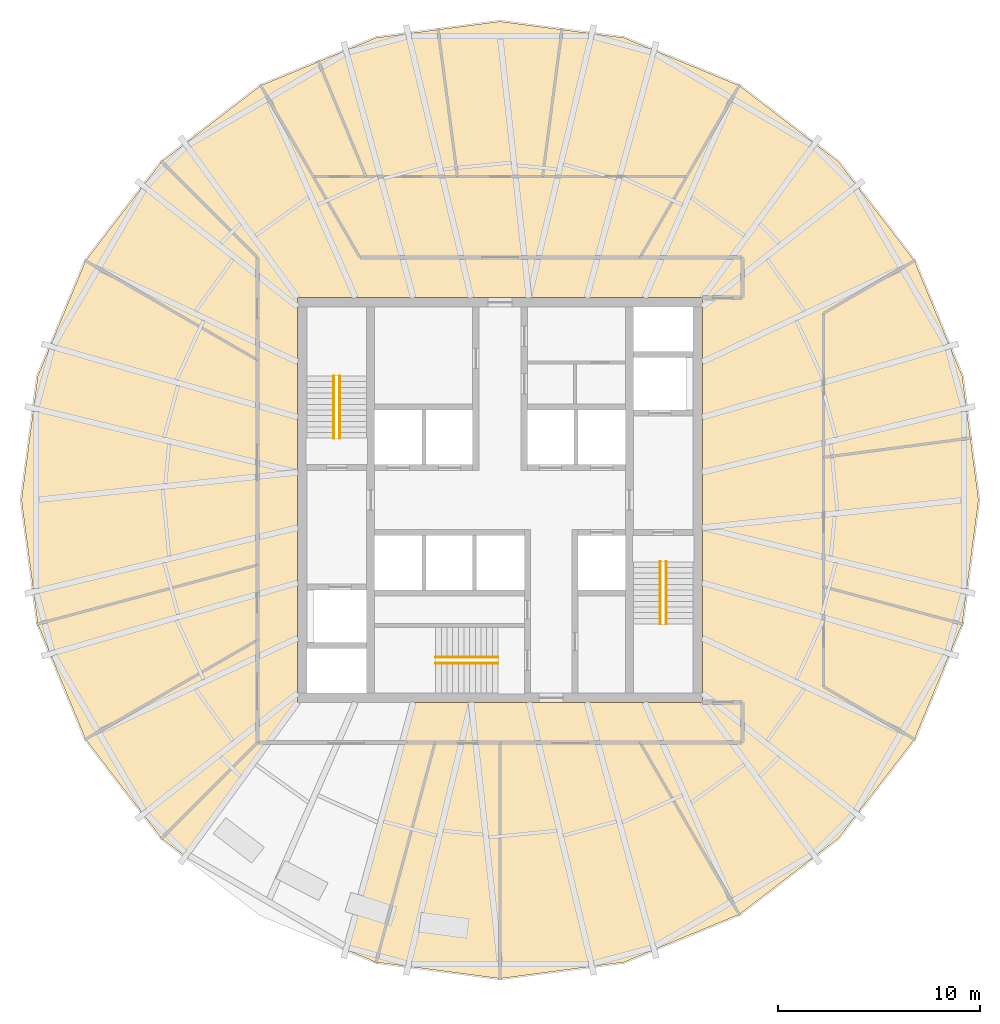
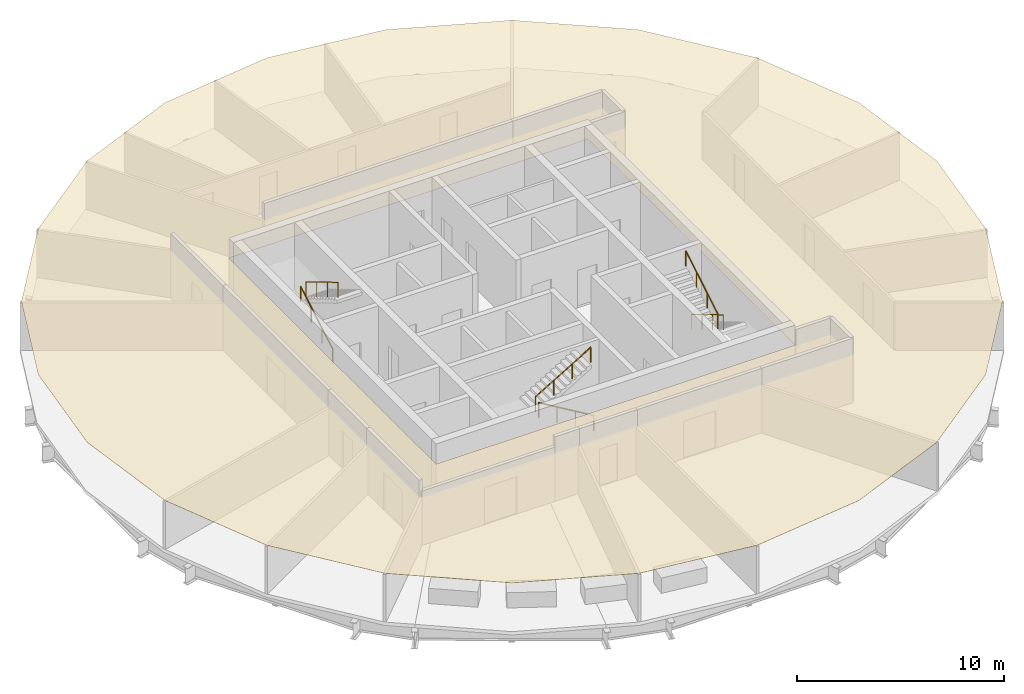
# One storey, part 6 of 7: 6 railings, 1 covering.
"""IFC4 building model written with IfcOpenShell, lengths in metres."""

import ifcopenshell
import ifcopenshell.guid

model = None  # the IFC model being written
_history = None  # IfcOwnerHistory: only IFC2X3 demands one
_inside = {}  # id of a spatial element -> (the spatial element, [elements in it])
_under = {}  # id of a project, library or spatial element -> (it, [spatial elements below it])
_declared = {}  # id of a project -> (the project, [libraries it declares])
_typed = {}  # id of a type object -> (the type object, [elements of that type])
_made_of = {}  # id of a material, layer set ... -> (it, [elements and type objects made of it])


def new_model(schema):
    """Start an empty IFC model of exactly this schema.

    Asked for "IFC4X3", IfcOpenShell would pick the latest addendum, in which some entities
    have other attributes; the version numbers below select the first issue.
    IFC2X3 requires an IfcOwnerHistory on every rooted entity: one is made here for all.
    """
    global model, _history
    if schema == "IFC4X3":
        model = ifcopenshell.file(schema_version=(4, 3, 0, 0))
    else:
        model = ifcopenshell.file(schema=schema)
    _inside.clear()
    _under.clear()
    _declared.clear()
    _typed.clear()
    _made_of.clear()
    _history = None
    if model.schema == "IFC2X3":
        org = make("IfcOrganization", Name="unknown")
        user = make(
            "IfcPersonAndOrganization",
            ThePerson=make("IfcPerson", FamilyName="unknown"),
            TheOrganization=org,
        )
        app = make(
            "IfcApplication",
            ApplicationDeveloper=org,
            Version="unknown",
            ApplicationFullName="unknown",
            ApplicationIdentifier="unknown",
        )
        _history = make(
            "IfcOwnerHistory",
            OwningUser=user,
            OwningApplication=app,
            ChangeAction="ADDED",
            CreationDate=0,
        )
    return model


def make(cls, **values):
    """One entity of the class cls with the attributes given. An attribute that is None is left unset."""
    return model.create_entity(
        cls, **{name: value for name, value in values.items() if value is not None}
    )


def rooted(cls, **values):
    """An entity with a GlobalId (a new one), such as an element, a storey or a relation."""
    return make(cls, GlobalId=ifcopenshell.guid.new(), OwnerHistory=_history, **values)


def si_unit(unit_type, name, prefix=None):
    """IfcSIUnit, for example si_unit("LENGTHUNIT", "METRE", prefix="MILLI")."""
    return make("IfcSIUnit", UnitType=unit_type, Prefix=prefix, Name=name)


def assignment(units):
    """IfcUnitAssignment: the units of a project."""
    return None if units is None else make("IfcUnitAssignment", Units=units)


def point(xyz):
    """IfcCartesianPoint."""
    return None if xyz is None else make("IfcCartesianPoint", Coordinates=xyz)


def direction(xyz):
    """IfcDirection."""
    return None if xyz is None else make("IfcDirection", DirectionRatios=xyz)


def frame(location, z_axis=None, x_axis=None):
    """IfcAxis2Placement3D, a coordinate frame: its origin and axes. An axis left out is left unset."""
    return make(
        "IfcAxis2Placement3D",
        Location=point(location),
        Axis=direction(z_axis),
        RefDirection=direction(x_axis),
    )


def frame_2d(location, x_axis=None):
    """IfcAxis2Placement2D, a coordinate frame in the plane: its origin and x axis."""
    return make(
        "IfcAxis2Placement2D", Location=point(location), RefDirection=direction(x_axis)
    )


def origin():
    """The frame at (0, 0, 0) with its axes left unset."""
    return frame((0.0, 0.0, 0.0))


def origin_2d():
    """The frame at (0, 0) in the plane with its x axis left unset."""
    return frame_2d((0.0, 0.0))


def place(relative_to, where):
    """IfcLocalPlacement: puts the frame where relative to a parent placement (None: the world)."""
    return make(
        "IfcLocalPlacement", PlacementRelTo=relative_to, RelativePlacement=where
    )


def context(
    kind, dimensions, precision=None, world=None, true_north=None, identifier=None
):
    """IfcGeometricRepresentationContext, for example the 3D "Model" context."""
    return make(
        "IfcGeometricRepresentationContext",
        ContextIdentifier=identifier,
        ContextType=kind,
        CoordinateSpaceDimension=dimensions,
        Precision=precision,
        WorldCoordinateSystem=world,
        TrueNorth=true_north,
    )


def subcontext(parent, identifier, kind, view, scale=None):
    """IfcGeometricRepresentationSubContext, for example "Body" below "Model"."""
    return make(
        "IfcGeometricRepresentationSubContext",
        ContextIdentifier=identifier,
        ContextType=kind,
        ParentContext=parent,
        TargetScale=scale,
        TargetView=view,
    )


def project(units=None, contexts=None):
    """IfcProject with its units and contexts."""
    return rooted(
        "IfcProject",
        Name="project",
        RepresentationContexts=contexts,
        UnitsInContext=assignment(units),
    )


def spatial(cls, under=None, at=None, **own):
    """A site, building, storey or space (cls), placed at a placement, below another one or the project."""
    s = rooted(cls, ObjectPlacement=at, **own)
    if under is not None:
        _under.setdefault(under.id(), (under, []))[1].append(s)
    return s


def polyline(points):
    """IfcPolyline through the points."""
    return make("IfcPolyline", Points=[point(p) for p in points])


def profile(cls, at=None, kind="AREA", **sizes):
    """A parametric profile (cls). Its sizes go by their IFC names, for example OverallWidth=200.0."""
    return make(cls, ProfileType=kind, Position=at, **sizes)


def circle(**sizes):
    """IfcCircleProfileDef."""
    return profile("IfcCircleProfileDef", **sizes)


def outline(outer, holes=None, kind="AREA"):
    """IfcArbitraryClosedProfileDef: a profile drawn as a closed curve; with holes, ...WithVoids."""
    if holes is None:
        return make("IfcArbitraryClosedProfileDef", ProfileType=kind, OuterCurve=outer)
    return make(
        "IfcArbitraryProfileDefWithVoids",
        ProfileType=kind,
        OuterCurve=outer,
        InnerCurves=holes,
    )


def extrude(swept, where, along, depth):
    """IfcExtrudedAreaSolid: the profile swept, set in the frame where, extruded along a direction by depth."""
    return make(
        "IfcExtrudedAreaSolid",
        SweptArea=swept,
        Position=where,
        ExtrudedDirection=direction(along),
        Depth=depth,
    )


def shape(context_of_items, identifier, shape_type, items):
    """IfcShapeRepresentation: the items that make up one representation, for example the "Body"."""
    return make(
        "IfcShapeRepresentation",
        ContextOfItems=context_of_items,
        RepresentationIdentifier=identifier,
        RepresentationType=shape_type,
        Items=items,
    )


def material(Name=None, Category=None):
    """IfcMaterial."""
    return make("IfcMaterial", Name=Name, Category=Category)


def layer(
    of_material, thickness, ventilated=None, Name=None, Category=None, Priority=None
):
    """IfcMaterialLayer: one layer of a wall or slab, of a material (None: an air gap)."""
    return make(
        "IfcMaterialLayer",
        Material=of_material,
        LayerThickness=thickness,
        IsVentilated=ventilated,
        Name=Name,
        Category=Category,
        Priority=Priority,
    )


def layer_set(layers, Name=None):
    """IfcMaterialLayerSet."""
    return make("IfcMaterialLayerSet", MaterialLayers=layers, LayerSetName=Name)


def made_of(thing, what):
    """Note that an element or type object is made of a material, layer set ...; save() writes the relation."""
    if what is not None:
        _made_of.setdefault(what.id(), (what, []))[1].append(thing)
    return thing


def type_object(cls, material=None, **own):
    """A type object (cls), such as IfcWallType, which elements share."""
    return made_of(rooted(cls, **own), material)


def element(
    cls,
    number,
    at=None,
    inside=None,
    cuts=None,
    type_object=None,
    material=None,
    context=None,
    identifier="Body",
    shape_type=None,
    held_by="IfcProductDefinitionShape",
    body=None,
    shapes=None,
    **own,
):
    """One element of the class cls, such as IfcWall. Its Tag is "e" and its number.

    at: its placement. inside: the storey or other place that contains it. cuts: it is an
    opening in that element (IfcRelVoidsElement). A single representation is given by context,
    identifier, shape_type and body (its items); several are given by shapes. held_by: the class
    of the entity that holds the representations. save() writes the other relations.
    """
    e = rooted(cls, Tag="e%d" % number, ObjectPlacement=at, **own)
    if body is not None:
        shapes = [shape(context, identifier, shape_type, body)]
    if shapes is not None:
        e.Representation = make(held_by, Representations=shapes)
    if inside is not None:
        _inside.setdefault(inside.id(), (inside, []))[1].append(e)
    if cuts is not None:
        rooted(
            "IfcRelVoidsElement", RelatingBuildingElement=cuts, RelatedOpeningElement=e
        )
    if type_object is not None:
        _typed.setdefault(type_object.id(), (type_object, []))[1].append(e)
    return made_of(e, material)


def aggregate(whole, parts):
    """IfcRelAggregates: a whole, such as a stair, and the parts it consists of."""
    return rooted("IfcRelAggregates", RelatingObject=whole, RelatedObjects=parts)


def save(model, path):
    """Write the relations noted so far, then the file.

    IfcRelAggregates (storeys below a building ...), IfcRelContainedInSpatialStructure (elements
    in a storey), IfcRelDefinesByType, IfcRelAssociatesMaterial and IfcRelDeclares: one each for
    every whole, place, type object, material and project.
    """
    for whole, parts in _under.values():
        aggregate(whole, parts)
    for where, things in _inside.values():
        rooted(
            "IfcRelContainedInSpatialStructure",
            RelatedElements=things,
            RelatingStructure=where,
        )
    for kind, things in _typed.values():
        rooted("IfcRelDefinesByType", RelatedObjects=things, RelatingType=kind)
    for what, things in _made_of.values():
        rooted("IfcRelAssociatesMaterial", RelatedObjects=things, RelatingMaterial=what)
    for by, libraries in _declared.values():
        rooted("IfcRelDeclares", RelatingContext=by, RelatedDefinitions=libraries)
    model.write(path)


model = new_model("IFC4")

# Units and contexts
model_context = context("Model", 3, precision=1e-05, world=origin(), true_north=direction((0.0, 1.0)))
body_context = subcontext(model_context, "Body", "Model", "MODEL_VIEW")
ifc_project = project(units=[si_unit("LENGTHUNIT", "METRE"), si_unit("AREAUNIT", "SQUARE_METRE"), si_unit("VOLUMEUNIT", "CUBIC_METRE"), si_unit("PLANEANGLEUNIT", "RADIAN"), si_unit("MASSUNIT", "GRAM", prefix="KILO")], contexts=[model_context])

# Site, building, storey
site_placement = place(None, origin())
site = spatial("IfcSite", under=ifc_project, at=site_placement, CompositionType="ELEMENT")
building_placement = place(site_placement, origin())
building = spatial("IfcBuilding", under=site, at=building_placement, Name="Golbaran Civic Tower", CompositionType="ELEMENT")
storey_placement = place(building_placement, frame((0.0, 0.0, 195.0)))
storey = spatial("IfcBuildingStorey", under=building, at=storey_placement, Name="L47", CompositionType="ELEMENT", Elevation=195.0)

# Railings
ifc_material_1 = material(Name="Stainless steel", Category="steel")
railing_type = type_object("IfcRailingType", Name="STAIR HANDRAIL 900", PredefinedType="HANDRAIL", material=ifc_material_1)
railing_1_placement = place(storey_placement, frame((-8.22509765625, 3.050048828125, 0.166748046875)))
element("IfcRailing", 1, at=railing_1_placement, inside=storey, type_object=railing_type, Name="Stair S1 handrail flight 1 L47", PredefinedType="HANDRAIL", context=body_context, shape_type="SweptSolid", body=[
    extrude(circle(Radius=0.02392578125, at=origin_2d()), frame((0.0, 0.0, 0.8759765625), z_axis=(0.0, 0.859290745958, 0.51148745235), x_axis=(-1.0, 0.0, 0.0)), (0.0, 0.0, 1.0), 3.584228515625),
    extrude(circle(Radius=0.02099609375, at=origin_2d()), origin(), (0.0, 0.0, 1.0), 0.851806640625),
    extrude(circle(Radius=0.02099609375, at=origin_2d()), frame((0.0, 1.026611328125, 0.611083984375)), (0.0, 0.0, 1.0), 0.851806640625),
    extrude(circle(Radius=0.02099609375, at=origin_2d()), frame((0.0, 2.05322265625, 1.22216796875)), (0.0, 0.0, 1.0), 0.851806640625),
    extrude(circle(Radius=0.02099609375, at=origin_2d()), frame((0.0, 3.079833984375, 1.833251953125)), (0.0, 0.0, 1.0), 0.851806640625),
])
for number, where, name in (
    (2, (-7.925048828125, 6.1298828125, 2.166748046875), "Stair S1 handrail flight 2 L47"),
    (3, (8.22509765625, -3.050048828125, 0.166748046875), "Stair S2 handrail flight 1 L47"),
):
    element("IfcRailing", number, at=place(storey_placement, frame(where)), inside=storey, type_object=railing_type, Name=name, PredefinedType="HANDRAIL", context=body_context, shape_type="SweptSolid", body=[
        extrude(circle(Radius=0.02392578125, at=origin_2d()), frame((0.0, 0.0, 0.8759765625), z_axis=(0.0, -0.859290745958, 0.51148745235), x_axis=(1.0, 0.0, 0.0)), (0.0, 0.0, 1.0), 3.584228515625),
        extrude(circle(Radius=0.02099609375, at=origin_2d()), origin(), (0.0, 0.0, 1.0), 0.851806640625),
        extrude(circle(Radius=0.02099609375, at=origin_2d()), frame((0.0, -1.026611328125, 0.611083984375)), (0.0, 0.0, 1.0), 0.851806640625),
        extrude(circle(Radius=0.02099609375, at=origin_2d()), frame((0.0, -2.05322265625, 1.22216796875)), (0.0, 0.0, 1.0), 0.851806640625),
        extrude(circle(Radius=0.02099609375, at=origin_2d()), frame((0.0, -3.079833984375, 1.833251953125)), (0.0, 0.0, 1.0), 0.851806640625),
    ])
railing_2_placement = place(storey_placement, frame((7.925048828125, -6.1298828125, 2.166748046875)))
element("IfcRailing", 4, at=railing_2_placement, inside=storey, type_object=railing_type, Name="Stair S2 handrail flight 2 L47", PredefinedType="HANDRAIL", context=body_context, shape_type="SweptSolid", body=[
    extrude(circle(Radius=0.02392578125, at=origin_2d()), frame((0.0, 0.0, 0.8759765625), z_axis=(0.0, 0.859290745958, 0.51148745235), x_axis=(-1.0, 0.0, 0.0)), (0.0, 0.0, 1.0), 3.584228515625),
    extrude(circle(Radius=0.02099609375, at=origin_2d()), origin(), (0.0, 0.0, 1.0), 0.851806640625),
    extrude(circle(Radius=0.02099609375, at=origin_2d()), frame((0.0, 1.026611328125, 0.611083984375)), (0.0, 0.0, 1.0), 0.851806640625),
    extrude(circle(Radius=0.02099609375, at=origin_2d()), frame((0.0, 2.05322265625, 1.22216796875)), (0.0, 0.0, 1.0), 0.851806640625),
    extrude(circle(Radius=0.02099609375, at=origin_2d()), frame((0.0, 3.079833984375, 1.833251953125)), (0.0, 0.0, 1.0), 0.851806640625),
])
railing_3_placement = place(storey_placement, frame((-0.10009765625, -8.074951171875, 0.166748046875)))
element("IfcRailing", 5, at=railing_3_placement, inside=storey, type_object=railing_type, Name="Stair S3 handrail flight 1 L47", PredefinedType="HANDRAIL", context=body_context, shape_type="SweptSolid", body=[
    extrude(circle(Radius=0.02392578125, at=origin_2d()), frame((0.0, 0.0, 0.8759765625), z_axis=(-0.859290745958, 0.0, 0.51148745235), x_axis=(0.0, -1.0, 0.0)), (0.0, 0.0, 1.0), 3.584228515625),
    extrude(circle(Radius=0.02099609375, at=origin_2d()), origin(), (0.0, 0.0, 1.0), 0.851806640625),
    extrude(circle(Radius=0.02099609375, at=origin_2d()), frame((-1.026611328125, 0.0, 0.611083984375)), (0.0, 0.0, 1.0), 0.851806640625),
    extrude(circle(Radius=0.02099609375, at=origin_2d()), frame((-2.05322265625, 0.0, 1.22216796875)), (0.0, 0.0, 1.0), 0.851806640625),
    extrude(circle(Radius=0.02099609375, at=origin_2d()), frame((-3.079833984375, 0.0, 1.833251953125)), (0.0, 0.0, 1.0), 0.851806640625),
])
railing_4_placement = place(storey_placement, frame((-3.179931640625, -7.77490234375, 2.166748046875)))
element("IfcRailing", 6, at=railing_4_placement, inside=storey, type_object=railing_type, Name="Stair S3 handrail flight 2 L47", PredefinedType="HANDRAIL", context=body_context, shape_type="SweptSolid", body=[
    extrude(circle(Radius=0.02392578125, at=origin_2d()), frame((0.0, 0.0, 0.8759765625), z_axis=(0.859290745958, 0.0, 0.51148745235), x_axis=(0.0, 1.0, 0.0)), (0.0, 0.0, 1.0), 3.584228515625),
    extrude(circle(Radius=0.02099609375, at=origin_2d()), origin(), (0.0, 0.0, 1.0), 0.851806640625),
    extrude(circle(Radius=0.02099609375, at=origin_2d()), frame((1.026611328125, 0.0, 0.611083984375)), (0.0, 0.0, 1.0), 0.851806640625),
    extrude(circle(Radius=0.02099609375, at=origin_2d()), frame((2.05322265625, 0.0, 1.22216796875)), (0.0, 0.0, 1.0), 0.851806640625),
    extrude(circle(Radius=0.02099609375, at=origin_2d()), frame((3.079833984375, 0.0, 1.833251953125)), (0.0, 0.0, 1.0), 0.851806640625),
])

# Covering
ifc_material_2 = material(Name="Mineral fibre tile on steel grid", Category="steel")
ifc_layer = layer(ifc_material_2, 0.02001953125, Name="Mineral fibre tile on steel grid")
ifc_layer_set = layer_set([ifc_layer], Name="Mineral fibre tile on steel grid")
covering_type = type_object("IfcCoveringType", Name="SUSPENDED CEILING 600 TILE 20", PredefinedType="CEILING", material=ifc_layer_set)
covering_placement = place(storey_placement, frame((0.0, 0.0, 2.800048828125)))
element("IfcCovering", 7, at=covering_placement, inside=storey, type_object=covering_type, Name="Suspended ceiling L47", PredefinedType="CEILING", context=body_context, shape_type="SweptSolid", body=[
    extrude(outline(polyline([(-20.491943359375, 11.8310546875), (-16.7314453125, 16.7314453125), (-11.8310546875, 20.491943359375), (-6.124267578125, 22.855712890625), (0.0, 23.662109375), (6.124267578125, 22.855712890625), (11.8310546875, 20.491943359375), (16.7314453125, 16.7314453125), (20.491943359375, 11.8310546875), (22.855712890625, 6.124267578125), (23.662109375, 0.0), (22.855712890625, -6.124267578125), (20.491943359375, -11.8310546875), (16.7314453125, -16.7314453125), (11.8310546875, -20.491943359375), (6.124267578125, -22.855712890625), (0.0, -23.662109375), (-6.124267578125, -22.855712890625), (-11.8310546875, -20.491943359375), (-16.7314453125, -16.7314453125), (-20.491943359375, -11.8310546875), (-22.855712890625, -6.124267578125), (-23.662109375, 0.0), (-22.855712890625, 6.124267578125), (-20.491943359375, 11.8310546875)]), holes=[polyline([(10.0, 10.0), (-10.0, 10.0), (-10.0, -10.0), (10.0, -10.0), (10.0, 10.0)])]), origin(), (0.0, 0.0, 1.0), 0.02001953125),
])

save(model, "model.ifc")
